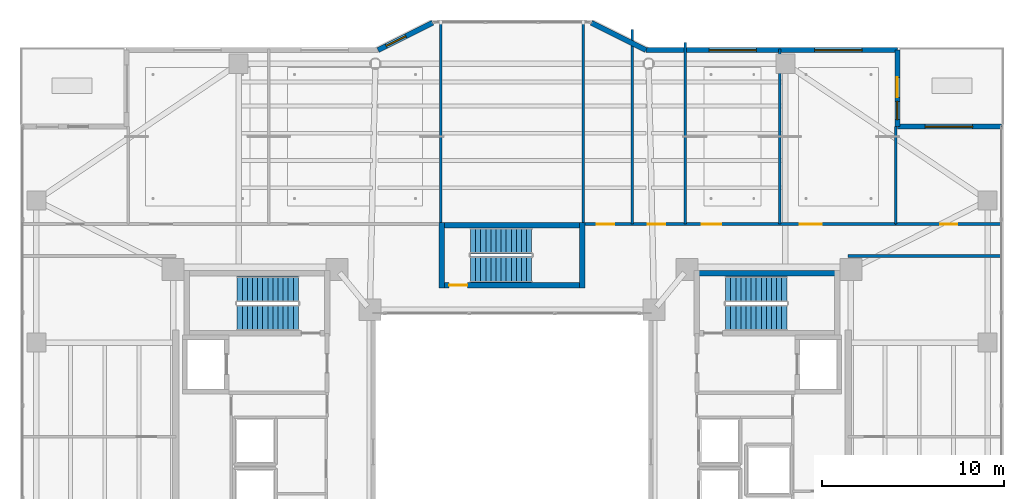
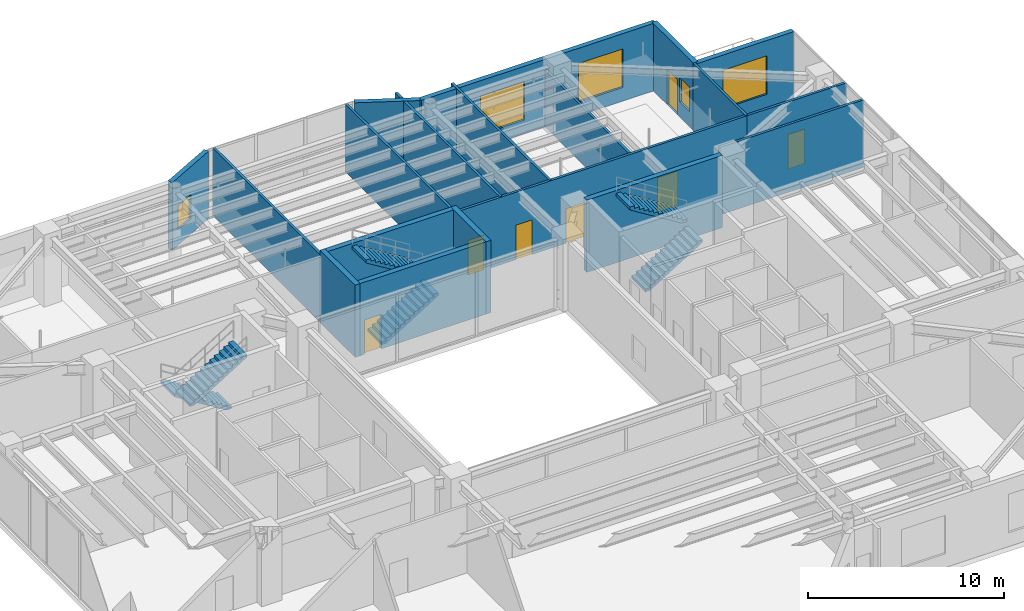
# One storey, part 30 of 37: 19 walls, 7 doors, 6 stair flights, 5 windows, 12 openings, 3 elements without a shape of their own.
"""IFC4 building model written with IfcOpenShell, lengths in metres."""

from ifc_helpers import new_model, si_unit, direction, frame, frame_2d, origin, place, context, subcontext, project, spatial, polyline, rectangle, outline, extrude, material, layer, layer_set, type_object, element, fill, aggregate, save


model = new_model("IFC4")

# Units and contexts
model_context = context("Model", 3, precision=1e-05, world=origin(), true_north=direction((0.0, 1.0)))
body_context = subcontext(model_context, "Body", "Model", "MODEL_VIEW")
ifc_project = project(units=[si_unit("LENGTHUNIT", "METRE"), si_unit("AREAUNIT", "SQUARE_METRE"), si_unit("VOLUMEUNIT", "CUBIC_METRE"), si_unit("PLANEANGLEUNIT", "RADIAN"), si_unit("MASSUNIT", "GRAM", prefix="KILO")], contexts=[model_context])

# Site, building, storey
site_placement = place(None, origin())
site = spatial("IfcSite", under=ifc_project, at=site_placement, CompositionType="ELEMENT")
building_placement = place(site_placement, origin())
building = spatial("IfcBuilding", under=site, at=building_placement, Name="Tarnavaz Court Tower", CompositionType="ELEMENT")
storey_placement = place(building_placement, frame((0.0, 0.0, 118.5)))
storey = spatial("IfcBuildingStorey", under=building, at=storey_placement, Name="L32", CompositionType="ELEMENT", Elevation=118.5)

# Walls
ifc_material_1 = material(Name="Concrete C60/75", Category="concrete")
ifc_layer_1 = layer(ifc_material_1, 0.300048828125)
ifc_layer_set_1 = layer_set([ifc_layer_1], Name="Concrete C60/75")
wall_type_1 = type_object("IfcWallType", Name="WL-CORE-300-C60", PredefinedType="SHEAR", material=ifc_layer_set_1)
for number, where, z_axis, x_axis, name in (
    (1, (10.0, 9.7900390625, 0.0), (0.0, 0.0, 1.0), (1.0, 0.0, 0.0), "L32 East Stair Core Wall 005"),
    (2, (-4.0, 12.43994140625, 0.0), (0.0, 0.0, 1.0), (1.0, 0.0, 0.0), "L32 North Stair Core Wall 009"),
):
    element("IfcWall", number, at=place(storey_placement, frame(where, z_axis=z_axis, x_axis=x_axis)), inside=storey, type_object=wall_type_1, Name=name, PredefinedType="SHEAR", context=body_context, shape_type="SweptSolid", body=[
        extrude(rectangle(XDim=8.0, YDim=0.300048828125, at=frame_2d((4.0, 0.0))), origin(), (0.0, 0.0, 1.0), 4.5),
    ])

# Wall, opening, door
wall_1_placement = place(storey_placement, frame((-4.0, 9.14990234375, 0.0), z_axis=(0.0, 0.0, 1.0), x_axis=(1.0, 0.0, 0.0)))
wall_1 = element("IfcWall", 3, at=wall_1_placement, inside=storey, type_object=wall_type_1, Name="L32 North Stair Core Wall 010", PredefinedType="SHEAR", context=body_context, shape_type="SweptSolid", body=[
    extrude(rectangle(XDim=8.0, YDim=0.300048828125, at=frame_2d((4.0, 0.0))), origin(), (0.0, 0.0, 1.0), 4.5),
])
opening_1_placement = place(wall_1_placement, frame((0.550048828125, 0.0, 0.0)))
opening_1 = element("IfcOpeningElement", 4, at=opening_1_placement, cuts=wall_1, Name="Opening D01", PredefinedType="OPENING", context=body_context, shape_type="SweptSolid", body=[
    extrude(rectangle(XDim=1.0, YDim=2.14990234375, at=frame_2d((0.5, 1.074951171875))), frame((0.0, 0.159912109375, 0.0), z_axis=(0.0, -1.0, 0.0), x_axis=(1.0, 0.0, 0.0)), (0.0, 0.0, 1.0), 0.320068359375),
])
ifc_material_2 = material(Name="Fire-Rated Hardwood Timber Core", Category="wood")
door_type_1 = type_object("IfcDoorType", Name="DR-FD90-1000", OperationType="NOTDEFINED", PredefinedType="DOOR", material=ifc_material_2)
door_1_placement = place(opening_1_placement, origin())
door_1 = element("IfcDoor", 5, at=door_1_placement, inside=storey, type_object=door_type_1, Name="L32 Stair ST-N1 Exit Door", OperationType="SINGLE_SWING_LEFT", OverallHeight=2.14990234375, OverallWidth=1.0, PredefinedType="DOOR", context=body_context, shape_type="SweptSolid", body=[
    extrude(rectangle(XDim=1.0, YDim=2.14990234375, at=frame_2d((0.5, 1.074951171875))), frame((0.0, 0.02490234375, 0.0), z_axis=(0.0, -1.0, 0.0), x_axis=(1.0, 0.0, 0.0)), (0.0, 0.0, 1.0), 0.050048828125),
])
fill(opening_1, door_1)

# Walls
for number, where, z_axis, x_axis, name in (
    (6, (-3.85009765625, 9.0, 0.0), (0.0, 0.0, 1.0), (0.0, 1.0, 0.0), "L32 North Stair Core Wall 011"),
    (7, (3.85009765625, 9.0, 0.0), (0.0, 0.0, 1.0), (0.0, 1.0, 0.0), "L32 North Stair Core Wall 012"),
):
    element("IfcWall", number, at=place(storey_placement, frame(where, z_axis=z_axis, x_axis=x_axis)), inside=storey, type_object=wall_type_1, Name=name, PredefinedType="SHEAR", context=body_context, shape_type="SweptSolid", body=[
        extrude(rectangle(XDim=3.590087890625, YDim=0.300048828125, at=frame_2d((1.794921875, 0.0))), origin(), (0.0, 0.0, 1.0), 4.5),
    ])

# Wall, opening, window
ifc_material_3 = material(Name="Precast Concrete C40/50", Category="concrete")
ifc_layer_2 = layer(ifc_material_3, 0.280029296875)
ifc_layer_set_2 = layer_set([ifc_layer_2], Name="Precast Concrete C40/50")
wall_type_2 = type_object("IfcWallType", Name="WL-EXT-280", PredefinedType="SOLIDWALL", material=ifc_layer_set_2)
wall_2_placement = place(storey_placement, frame((-7.35009765625, 22.050048828125, 0.0), z_axis=(0.0, 0.0, 1.0), x_axis=(0.894427191, 0.4472135955, 0.0)))
wall_2 = element("IfcWall", 8, at=wall_2_placement, inside=storey, type_object=wall_type_2, Name="L32 Exterior Terracotta Facade Wall 06", PredefinedType="SOLIDWALL", context=body_context, shape_type="SweptSolid", body=[
    extrude(rectangle(XDim=3.35400390625, YDim=0.280029296875, at=frame_2d((1.677001953125, 0.0))), origin(), (0.0, 0.0, 1.0), 4.199951171875),
])
opening_2_placement = place(wall_2_placement, frame((0.501220703125, 0.0, 0.949951171875)))
opening_2 = element("IfcOpeningElement", 9, at=opening_2_placement, cuts=wall_2, Name="Opening W05", PredefinedType="OPENING", context=body_context, shape_type="SweptSolid", body=[
    extrude(rectangle(XDim=1.199951171875, YDim=1.5, at=frame_2d((0.60009765625, 0.75))), frame((0.0, 0.14990234375, 0.0), z_axis=(0.0, -1.0, 0.0), x_axis=(1.0, 0.0, 0.0)), (0.0, 0.0, 1.0), 0.300048828125),
])
ifc_material_4 = material(Name="Double-Glazed Solar Low-E Glass", Category="glass")
window_type_1 = type_object("IfcWindowType", Name="WN-APT-1200", PartitioningType="SINGLE_PANEL", PredefinedType="WINDOW", material=ifc_material_4)
window_1_placement = place(opening_2_placement, origin())
window_1 = element("IfcWindow", 10, at=window_1_placement, inside=storey, type_object=window_type_1, Name="L32 L32 Resident Study Library Window", OverallHeight=1.5, OverallWidth=1.199951171875, PartitioningType="SINGLE_PANEL", PredefinedType="WINDOW", context=body_context, shape_type="SweptSolid", body=[
    extrude(rectangle(XDim=1.199951171875, YDim=1.5, at=frame_2d((0.60009765625, 0.75))), frame((0.0, 0.030029296875, 0.0), z_axis=(0.0, -1.0, 0.0), x_axis=(1.0, 0.0, 0.0)), (0.0, 0.0, 1.0), 0.06005859375),
])
fill(opening_2, window_1)

# Wall
wall_3_placement = place(storey_placement, frame((4.35009765625, 23.550048828125, 0.0), z_axis=(0.0, 0.0, 1.0), x_axis=(0.894427191, -0.4472135955, 0.0)))
element("IfcWall", 11, at=wall_3_placement, inside=storey, type_object=wall_type_2, Name="L32 Exterior Terracotta Facade Wall 08", PredefinedType="SOLIDWALL", context=body_context, shape_type="SweptSolid", body=[
    extrude(rectangle(XDim=3.35400390625, YDim=0.280029296875, at=frame_2d((1.677001953125, 0.0))), origin(), (0.0, 0.0, 1.0), 4.199951171875),
])

# Wall, openings, windows
wall_4_placement = place(storey_placement, frame((7.35009765625, 22.050048828125, 0.0), z_axis=(0.0, 0.0, 1.0), x_axis=(1.0, 0.0, 0.0)))
wall_4 = element("IfcWall", 12, at=wall_4_placement, inside=storey, type_object=wall_type_2, Name="L32 Exterior Terracotta Facade Wall 09", PredefinedType="SOLIDWALL", context=body_context, shape_type="SweptSolid", body=[
    extrude(rectangle(XDim=13.7998046875, YDim=0.280029296875, at=frame_2d((6.89990234375, 0.0))), origin(), (0.0, 0.0, 1.0), 4.199951171875),
])
opening_3_placement = place(wall_4_placement, frame((3.46728515625, 0.0, 0.85009765625)))
opening_3 = element("IfcOpeningElement", 13, at=opening_3_placement, cuts=wall_4, Name="Opening W11", PredefinedType="OPENING", context=body_context, shape_type="SweptSolid", body=[
    extrude(rectangle(XDim=2.60009765625, YDim=2.39990234375, at=frame_2d((1.300048828125, 1.199951171875))), frame((0.0, 0.14990234375, 0.0), z_axis=(0.0, -1.0, 0.0), x_axis=(1.0, 0.0, 0.0)), (0.0, 0.0, 1.0), 0.300048828125),
])
opening_4_placement = place(wall_4_placement, frame((9.26318359375, 0.0, 0.85009765625)))
opening_4 = element("IfcOpeningElement", 14, at=opening_4_placement, cuts=wall_4, Name="Opening W11", PredefinedType="OPENING", context=body_context, shape_type="SweptSolid", body=[
    extrude(rectangle(XDim=2.60009765625, YDim=2.39990234375, at=frame_2d((1.300048828125, 1.199951171875))), frame((0.0, 0.14990234375, 0.0), z_axis=(0.0, -1.0, 0.0), x_axis=(1.0, 0.0, 0.0)), (0.0, 0.0, 1.0), 0.300048828125),
])
window_type_2 = type_object("IfcWindowType", Name="WN-COM-2600", PartitioningType="TRIPLE_PANEL_VERTICAL", PredefinedType="WINDOW", material=ifc_material_4)
window_2_placement = place(opening_3_placement, origin())
window_2 = element("IfcWindow", 15, at=window_2_placement, inside=storey, type_object=window_type_2, Name="L32 Community Seminar Meeting Room Window", OverallHeight=2.39990234375, OverallWidth=2.60009765625, PartitioningType="SINGLE_PANEL", PredefinedType="WINDOW", context=body_context, shape_type="SweptSolid", body=[
    extrude(rectangle(XDim=2.60009765625, YDim=2.39990234375, at=frame_2d((1.300048828125, 1.199951171875))), frame((0.0, 0.030029296875, 0.0), z_axis=(0.0, -1.0, 0.0), x_axis=(1.0, 0.0, 0.0)), (0.0, 0.0, 1.0), 0.06005859375),
])
fill(opening_3, window_2)
window_3_placement = place(opening_4_placement, origin())
window_3 = element("IfcWindow", 16, at=window_3_placement, inside=storey, type_object=window_type_2, Name="L32 L32 Fitness Studio Window", OverallHeight=2.39990234375, OverallWidth=2.60009765625, PartitioningType="SINGLE_PANEL", PredefinedType="WINDOW", context=body_context, shape_type="SweptSolid", body=[
    extrude(rectangle(XDim=2.60009765625, YDim=2.39990234375, at=frame_2d((1.300048828125, 1.199951171875))), frame((0.0, 0.030029296875, 0.0), z_axis=(0.0, -1.0, 0.0), x_axis=(1.0, 0.0, 0.0)), (0.0, 0.0, 1.0), 0.06005859375),
])
fill(opening_4, window_3)

# Wall, openings, door, window
wall_5_placement = place(storey_placement, frame((21.14990234375, 22.050048828125, 0.0), z_axis=(0.0, 0.0, 1.0), x_axis=(0.0, -1.0, 0.0)))
wall_5 = element("IfcWall", 17, at=wall_5_placement, inside=storey, type_object=wall_type_2, Name="L32 Exterior Terracotta Facade Wall 10", PredefinedType="SOLIDWALL", context=body_context, shape_type="SweptSolid", body=[
    extrude(rectangle(XDim=4.199951171875, YDim=0.280029296875, at=frame_2d((2.10009765625, 0.0))), origin(), (0.0, 0.0, 1.0), 4.199951171875),
])
opening_5_placement = place(wall_5_placement, frame((1.5, 0.0, 0.0)))
opening_5 = element("IfcOpeningElement", 18, at=opening_5_placement, cuts=wall_5, Name="Opening TD1", PredefinedType="OPENING", context=body_context, shape_type="SweptSolid", body=[
    extrude(rectangle(XDim=1.10009765625, YDim=2.199951171875, at=frame_2d((0.550048828125, 1.10009765625))), frame((0.0, 0.14990234375, 0.0), z_axis=(0.0, -1.0, 0.0), x_axis=(1.0, 0.0, 0.0)), (0.0, 0.0, 1.0), 0.300048828125),
])
opening_6_placement = place(wall_5_placement, frame((2.8125, 0.0, 0.949951171875)))
opening_6 = element("IfcOpeningElement", 19, at=opening_6_placement, cuts=wall_5, Name="Opening W14", PredefinedType="OPENING", context=body_context, shape_type="SweptSolid", body=[
    extrude(rectangle(XDim=1.0, YDim=1.5, at=frame_2d((0.5, 0.75))), frame((0.0, 0.14990234375, 0.0), z_axis=(0.0, -1.0, 0.0), x_axis=(1.0, 0.0, 0.0)), (0.0, 0.0, 1.0), 0.300048828125),
])
ifc_material_5 = material(Name="Thermally Broken Aluminium and Laminated Glass", Category="aluminium")
door_type_2 = type_object("IfcDoorType", Name="DR-TERR-1100", OperationType="NOTDEFINED", PredefinedType="DOOR", material=ifc_material_5)
door_2_placement = place(opening_5_placement, origin())
door_2 = element("IfcDoor", 20, at=door_2_placement, inside=storey, type_object=door_type_2, Name="L32 Sky Terrace Access Door 1", OperationType="SINGLE_SWING_LEFT", OverallHeight=2.199951171875, OverallWidth=1.10009765625, PredefinedType="DOOR", context=body_context, shape_type="SweptSolid", body=[
    extrude(rectangle(XDim=1.10009765625, YDim=2.199951171875, at=frame_2d((0.550048828125, 1.10009765625))), frame((0.0, 0.02490234375, 0.0), z_axis=(0.0, -1.0, 0.0), x_axis=(1.0, 0.0, 0.0)), (0.0, 0.0, 1.0), 0.050048828125),
])
fill(opening_5, door_2)
window_type_3 = type_object("IfcWindowType", Name="WN-APT-1000", PartitioningType="SINGLE_PANEL", PredefinedType="WINDOW", material=ifc_material_4)
window_4_placement = place(opening_6_placement, origin())
window_4 = element("IfcWindow", 21, at=window_4_placement, inside=storey, type_object=window_type_3, Name="L32 L32 Fitness Studio Window", OverallHeight=1.5, OverallWidth=1.0, PartitioningType="SINGLE_PANEL", PredefinedType="WINDOW", context=body_context, shape_type="SweptSolid", body=[
    extrude(rectangle(XDim=1.0, YDim=1.5, at=frame_2d((0.5, 0.75))), frame((0.0, 0.030029296875, 0.0), z_axis=(0.0, -1.0, 0.0), x_axis=(1.0, 0.0, 0.0)), (0.0, 0.0, 1.0), 0.06005859375),
])
fill(opening_6, window_4)

# Wall, opening, window
wall_6_placement = place(storey_placement, frame((21.14990234375, 17.85009765625, 0.0), z_axis=(0.0, 0.0, 1.0), x_axis=(1.0, 0.0, 0.0)))
wall_6 = element("IfcWall", 22, at=wall_6_placement, inside=storey, type_object=wall_type_2, Name="L32 Exterior Terracotta Facade Wall 11", PredefinedType="SOLIDWALL", context=body_context, shape_type="SweptSolid", body=[
    extrude(rectangle(XDim=5.7001953125, YDim=0.280029296875, at=frame_2d((2.85009765625, 0.0))), origin(), (0.0, 0.0, 1.0), 4.199951171875),
])
opening_7_placement = place(wall_6_placement, frame((1.52490234375, 0.0, 0.85009765625)))
opening_7 = element("IfcOpeningElement", 23, at=opening_7_placement, cuts=wall_6, Name="Opening W11", PredefinedType="OPENING", context=body_context, shape_type="SweptSolid", body=[
    extrude(rectangle(XDim=2.60009765625, YDim=2.39990234375, at=frame_2d((1.300048828125, 1.199951171875))), frame((0.0, 0.14990234375, 0.0), z_axis=(0.0, -1.0, 0.0), x_axis=(1.0, 0.0, 0.0)), (0.0, 0.0, 1.0), 0.300048828125),
])
window_5_placement = place(opening_7_placement, origin())
window_5 = element("IfcWindow", 24, at=window_5_placement, inside=storey, type_object=window_type_2, Name="L32 L32 NE Terrace Salon Window", OverallHeight=2.39990234375, OverallWidth=2.60009765625, PartitioningType="SINGLE_PANEL", PredefinedType="WINDOW", context=body_context, shape_type="SweptSolid", body=[
    extrude(rectangle(XDim=2.60009765625, YDim=2.39990234375, at=frame_2d((1.300048828125, 1.199951171875))), frame((0.0, 0.030029296875, 0.0), z_axis=(0.0, -1.0, 0.0), x_axis=(1.0, 0.0, 0.0)), (0.0, 0.0, 1.0), 0.06005859375),
])
fill(opening_7, window_5)

# Wall, openings, doors
ifc_material_6 = material(Name="Gypsum Fire-Board on Acoustic Metal Stud", Category="masonry")
ifc_layer_3 = layer(ifc_material_6, 0.14990234375)
ifc_layer_set_3 = layer_set([ifc_layer_3], Name="Gypsum Fire-Board on Acoustic Metal Stud")
wall_type_3 = type_object("IfcWallType", Name="WL-FIRE-150", PredefinedType="PARTITIONING", material=ifc_layer_set_3)
wall_7_placement = place(storey_placement, frame((3.85009765625, 12.5, 0.0), z_axis=(0.0, 0.0, 1.0), x_axis=(1.0, 0.0, 0.0)))
wall_7 = element("IfcWall", 25, at=wall_7_placement, inside=storey, type_object=wall_type_3, Name="L32 NE Wing Corridor Wall 072", PredefinedType="PARTITIONING", context=body_context, shape_type="SweptSolid", body=[
    extrude(rectangle(XDim=17.199951171875, YDim=0.14990234375, at=frame_2d((8.60009765625, 0.0))), origin(), (0.0, 0.0, 1.0), 4.199951171875),
])
opening_8_placement = place(wall_7_placement, frame((0.800048828125, 0.0, 0.0)))
opening_8 = element("IfcOpeningElement", 26, at=opening_8_placement, cuts=wall_7, Name="Opening D13", PredefinedType="OPENING", context=body_context, shape_type="SweptSolid", body=[
    extrude(rectangle(XDim=0.949951171875, YDim=2.14990234375, at=frame_2d((0.47509765625, 1.074951171875))), frame((0.0, 0.0849609375, 0.0), z_axis=(0.0, -1.0, 0.0), x_axis=(1.0, 0.0, 0.0)), (0.0, 0.0, 1.0), 0.169921875),
])
opening_9_placement = place(wall_7_placement, frame((3.60009765625, 0.0, 0.0)))
opening_9 = element("IfcOpeningElement", 27, at=opening_9_placement, cuts=wall_7, Name="Opening D13", PredefinedType="OPENING", context=body_context, shape_type="SweptSolid", body=[
    extrude(rectangle(XDim=0.949951171875, YDim=2.14990234375, at=frame_2d((0.47509765625, 1.074951171875))), frame((0.0, 0.0849609375, 0.0), z_axis=(0.0, -1.0, 0.0), x_axis=(1.0, 0.0, 0.0)), (0.0, 0.0, 1.0), 0.169921875),
])
opening_10_placement = place(wall_7_placement, frame((6.550048828125, 0.0, 0.0)))
opening_10 = element("IfcOpeningElement", 28, at=opening_10_placement, cuts=wall_7, Name="Opening D12", PredefinedType="OPENING", context=body_context, shape_type="SweptSolid", body=[
    extrude(rectangle(XDim=1.080078125, YDim=2.14990234375, at=frame_2d((0.5400390625, 1.074951171875))), frame((0.0, 0.0849609375, 0.0), z_axis=(0.0, -1.0, 0.0), x_axis=(1.0, 0.0, 0.0)), (0.0, 0.0, 1.0), 0.169921875),
])
opening_11_placement = place(wall_7_placement, frame((11.947021484375, 0.0, 0.0)))
opening_11 = element("IfcOpeningElement", 29, at=opening_11_placement, cuts=wall_7, Name="Opening D11", PredefinedType="OPENING", context=body_context, shape_type="SweptSolid", body=[
    extrude(rectangle(XDim=1.199951171875, YDim=2.14990234375, at=frame_2d((0.60009765625, 1.074951171875))), frame((0.0, 0.0849609375, 0.0), z_axis=(0.0, -1.0, 0.0), x_axis=(1.0, 0.0, 0.0)), (0.0, 0.0, 1.0), 0.169921875),
])
ifc_material_7 = material(Name="Engineered Oak Timber", Category="wood")
door_type_3 = type_object("IfcDoorType", Name="DR-INT-1100", OperationType="NOTDEFINED", PredefinedType="DOOR", material=ifc_material_7)
door_3_placement = place(opening_10_placement, origin())
door_3 = element("IfcDoor", 30, at=door_3_placement, inside=storey, type_object=door_type_3, Name="L32 Community Meeting Room Door", OperationType="SINGLE_SWING_LEFT", OverallHeight=2.14990234375, OverallWidth=1.080078125, PredefinedType="DOOR", context=body_context, shape_type="SweptSolid", body=[
    extrude(rectangle(XDim=1.080078125, YDim=2.14990234375, at=frame_2d((0.5400390625, 1.074951171875))), frame((0.0, 0.02490234375, 0.0), z_axis=(0.0, -1.0, 0.0), x_axis=(1.0, 0.0, 0.0)), (0.0, 0.0, 1.0), 0.050048828125),
])
fill(opening_10, door_3)
door_type_4 = type_object("IfcDoorType", Name="DR-INT-1200", OperationType="NOTDEFINED", PredefinedType="DOOR", material=ifc_material_7)
door_4_placement = place(opening_11_placement, origin())
door_4 = element("IfcDoor", 31, at=door_4_placement, inside=storey, type_object=door_type_4, Name="L32 L32 Fitness Studio Door", OperationType="SINGLE_SWING_RIGHT", OverallHeight=2.14990234375, OverallWidth=1.199951171875, PredefinedType="DOOR", context=body_context, shape_type="SweptSolid", body=[
    extrude(rectangle(XDim=1.199951171875, YDim=2.14990234375, at=frame_2d((0.60009765625, 1.074951171875))), frame((0.0, 0.02490234375, 0.0), z_axis=(0.0, -1.0, 0.0), x_axis=(1.0, 0.0, 0.0)), (0.0, 0.0, 1.0), 0.050048828125),
])
fill(opening_11, door_4)
door_type_5 = type_object("IfcDoorType", Name="DR-INT-950", OperationType="NOTDEFINED", PredefinedType="DOOR", material=ifc_material_7)
door_5_placement = place(opening_8_placement, origin())
door_5 = element("IfcDoor", 32, at=door_5_placement, inside=storey, type_object=door_type_5, Name="L32 Accessible WC Door", OperationType="SINGLE_SWING_LEFT", OverallHeight=2.14990234375, OverallWidth=0.949951171875, PredefinedType="DOOR", context=body_context, shape_type="SweptSolid", body=[
    extrude(rectangle(XDim=0.949951171875, YDim=2.14990234375, at=frame_2d((0.47509765625, 1.074951171875))), frame((0.0, 0.02490234375, 0.0), z_axis=(0.0, -1.0, 0.0), x_axis=(1.0, 0.0, 0.0)), (0.0, 0.0, 1.0), 0.050048828125),
])
fill(opening_8, door_5)
door_6_placement = place(opening_9_placement, origin())
door_6 = element("IfcDoor", 33, at=door_6_placement, inside=storey, type_object=door_type_5, Name="L32 Public Toilets Door", OperationType="SINGLE_SWING_RIGHT", OverallHeight=2.14990234375, OverallWidth=0.949951171875, PredefinedType="DOOR", context=body_context, shape_type="SweptSolid", body=[
    extrude(rectangle(XDim=0.949951171875, YDim=2.14990234375, at=frame_2d((0.47509765625, 1.074951171875))), frame((0.0, 0.02490234375, 0.0), z_axis=(0.0, -1.0, 0.0), x_axis=(1.0, 0.0, 0.0)), (0.0, 0.0, 1.0), 0.050048828125),
])
fill(opening_9, door_6)

# Wall
wall_8_placement = place(storey_placement, frame((18.449951171875, 10.75, 0.0), z_axis=(0.0, 0.0, 1.0), x_axis=(1.0, 0.0, 0.0)))
element("IfcWall", 34, at=wall_8_placement, inside=storey, type_object=wall_type_3, Name="L32 Interior Partition 089", PredefinedType="PARTITIONING", context=body_context, shape_type="SweptSolid", body=[
    extrude(rectangle(XDim=8.429931640625, YDim=0.14990234375, at=frame_2d((4.21484375, 0.0))), origin(), (0.0, 0.0, 1.0), 4.199951171875),
])

# Wall, opening, door
wall_9_placement = place(storey_placement, frame((21.050048828125, 12.5, 0.0), z_axis=(0.0, 0.0, 1.0), x_axis=(1.0, 0.0, 0.0)))
wall_9 = element("IfcWall", 35, at=wall_9_placement, inside=storey, type_object=wall_type_3, Name="L32 Interior Partition 095", PredefinedType="PARTITIONING", context=body_context, shape_type="SweptSolid", body=[
    extrude(rectangle(XDim=5.829833984375, YDim=0.14990234375, at=frame_2d((2.9150390625, 0.0))), origin(), (0.0, 0.0, 1.0), 4.199951171875),
])
opening_12_placement = place(wall_9_placement, frame((2.43994140625, 0.0, 0.0)))
opening_12 = element("IfcOpeningElement", 36, at=opening_12_placement, cuts=wall_9, Name="Opening D13", PredefinedType="OPENING", context=body_context, shape_type="SweptSolid", body=[
    extrude(rectangle(XDim=0.949951171875, YDim=2.14990234375, at=frame_2d((0.47509765625, 1.074951171875))), frame((0.0, 0.0849609375, 0.0), z_axis=(0.0, -1.0, 0.0), x_axis=(1.0, 0.0, 0.0)), (0.0, 0.0, 1.0), 0.169921875),
])
door_7_placement = place(opening_12_placement, origin())
door_7 = element("IfcDoor", 37, at=door_7_placement, inside=storey, type_object=door_type_5, Name="L32 NE Terrace Salon Door", OperationType="SINGLE_SWING_LEFT", OverallHeight=2.14990234375, OverallWidth=0.949951171875, PredefinedType="DOOR", context=body_context, shape_type="SweptSolid", body=[
    extrude(rectangle(XDim=0.949951171875, YDim=2.14990234375, at=frame_2d((0.47509765625, 1.074951171875))), frame((0.0, 0.02490234375, 0.0), z_axis=(0.0, -1.0, 0.0), x_axis=(1.0, 0.0, 0.0)), (0.0, 0.0, 1.0), 0.050048828125),
])
fill(opening_12, door_7)

# Walls
ifc_material_8 = material(Name="Gypsum Plasterboard Acoustic Partition", Category="masonry")
ifc_layer_4 = layer(ifc_material_8, 0.139892578125)
ifc_layer_set_4 = layer_set([ifc_layer_4], Name="Gypsum Plasterboard Acoustic Partition")
wall_type_4 = type_object("IfcWallType", Name="WL-PART-150", PredefinedType="PARTITIONING", material=ifc_layer_set_4)
for number, where, z_axis, x_axis, name in (
    (38, (-3.89990234375, 12.5, 0.0), (0.0, 0.0, 1.0), (0.0, 1.0, 0.0), "L32 Interior Partition 075"),
    (39, (3.89990234375, 12.5, 0.0), (0.0, 0.0, 1.0), (0.0, 1.0, 0.0), "L32 Interior Partition 076"),
):
    element("IfcWall", number, at=place(storey_placement, frame(where, z_axis=z_axis, x_axis=x_axis)), inside=storey, type_object=wall_type_4, Name=name, PredefinedType="PARTITIONING", context=body_context, shape_type="SweptSolid", body=[
        extrude(rectangle(XDim=11.080078125, YDim=0.139892578125, at=frame_2d((5.5400390625, 0.0))), origin(), (0.0, 0.0, 1.0), 4.199951171875),
    ])
wall_10_placement = place(storey_placement, frame((6.60009765625, 12.5, 0.0), z_axis=(0.0, 0.0, 1.0), x_axis=(0.0, 1.0, 0.0)))
element("IfcWall", 40, at=wall_10_placement, inside=storey, type_object=wall_type_4, Name="L32 Interior Partition 078", PredefinedType="PARTITIONING", context=body_context, shape_type="SweptSolid", body=[
    extrude(rectangle(XDim=10.68505859375, YDim=0.139892578125, at=frame_2d((5.342529296875, 0.0))), origin(), (0.0, 0.0, 1.0), 4.199951171875),
])
wall_11_placement = place(storey_placement, frame((9.5, 12.5, 0.0), z_axis=(0.0, 0.0, 1.0), x_axis=(0.0, 1.0, 0.0)))
element("IfcWall", 41, at=wall_11_placement, inside=storey, type_object=wall_type_4, Name="L32 Interior Partition 079", PredefinedType="PARTITIONING", context=body_context, shape_type="SweptSolid", body=[
    extrude(rectangle(XDim=9.969970703125, YDim=0.139892578125, at=frame_2d((4.98486328125, 0.0))), origin(), (0.0, 0.0, 1.0), 4.199951171875),
])
wall_12_placement = place(storey_placement, frame((14.697021484375, 12.5, 0.0), z_axis=(0.0, 0.0, 1.0), x_axis=(0.0, 1.0, 0.0)))
element("IfcWall", 42, at=wall_12_placement, inside=storey, type_object=wall_type_4, Name="L32 Interior Partition 080", PredefinedType="PARTITIONING", context=body_context, shape_type="SweptSolid", body=[
    extrude(rectangle(XDim=9.60009765625, YDim=0.139892578125, at=frame_2d((4.800048828125, 0.0))), origin(), (0.0, 0.0, 1.0), 3.534912109375),
])
wall_13_placement = place(storey_placement, frame((21.050048828125, 12.5, 0.0), z_axis=(0.0, 0.0, 1.0), x_axis=(0.0, 1.0, 0.0)))
element("IfcWall", 43, at=wall_13_placement, inside=storey, type_object=wall_type_4, Name="L32 Interior Partition 093", PredefinedType="PARTITIONING", context=body_context, shape_type="SweptSolid", body=[
    extrude(rectangle(XDim=5.35009765625, YDim=0.139892578125, at=frame_2d((2.675048828125, 0.0))), origin(), (0.0, 0.0, 1.0), 4.199951171875),
])

# Stair, stair flights
ifc_material_9 = material(Name="Concrete C40/50", Category="concrete")
stair_type = type_object("IfcStairType", Name="ST-TWR-26R", PredefinedType="HALF_TURN_STAIR", material=ifc_material_9)
stair_1_placement = place(storey_placement, origin())
stair_1 = element("IfcStair", 44, at=stair_1_placement, inside=storey, type_object=stair_type, Name="L32 West Core Pressurized Exit Stair ST-W1", PredefinedType="HALF_TURN_STAIR")
stair_flight_type = type_object("IfcStairFlightType", Name="SFL-RC-26R", PredefinedType="STRAIGHT", material=ifc_material_9)
stair_flight_1_placement = place(storey_placement, frame((-11.719970703125, 8.929931640625, 0.0), z_axis=(0.0, 0.0, 1.0), x_axis=(-1.0, 0.0, 0.0)))
stair_flight_1 = element("IfcStairFlight", 45, at=stair_flight_1_placement, type_object=stair_flight_type, Name="ST-W1 flight 1", NumberOfRisers=13, NumberOfTreads=12, PredefinedType="STRAIGHT", RiserHeight=0.173076923, TreadLength=0.28, context=body_context, shape_type="SweptSolid", body=[
    extrude(outline(polyline([(0.0, 0.0), (0.0, 0.173095703125), (0.280029296875, 0.173095703125), (0.280029296875, 0.34619140625), (0.56005859375, 0.34619140625), (0.56005859375, 0.519287109375), (0.840087890625, 0.519287109375), (0.840087890625, 0.6923828125), (1.1201171875, 0.6923828125), (1.1201171875, 0.865478515625), (1.39990234375, 0.865478515625), (1.39990234375, 1.03857421875), (1.679931640625, 1.03857421875), (1.679931640625, 1.21142578125), (1.9599609375, 1.21142578125), (1.9599609375, 1.384521484375), (2.239990234375, 1.384521484375), (2.239990234375, 1.5576171875), (2.52001953125, 1.5576171875), (2.52001953125, 1.730712890625), (2.800048828125, 1.730712890625), (2.800048828125, 1.90380859375), (3.080078125, 1.90380859375), (3.080078125, 2.076904296875), (3.360107421875, 2.076904296875), (3.360107421875, 2.25), (3.360107421875, 1.900634765625), (0.28515625, 0.0), (0.0, 0.0)])), frame((0.0, 0.7099609375, 0.0), z_axis=(0.0, -1.0, 0.0), x_axis=(1.0, 0.0, 0.0)), (0.0, 0.0, 1.0), 1.419921875),
])
stair_flight_2_placement = place(storey_placement, frame((-15.080078125, 7.360107421875, 2.25), z_axis=(0.0, 0.0, 1.0), x_axis=(1.0, 0.0, 0.0)))
stair_flight_2 = element("IfcStairFlight", 46, at=stair_flight_2_placement, type_object=stair_flight_type, Name="ST-W1 flight 2", NumberOfRisers=13, NumberOfTreads=12, PredefinedType="STRAIGHT", RiserHeight=0.173076923, TreadLength=0.28, context=body_context, shape_type="SweptSolid", body=[
    extrude(outline(polyline([(0.0, 0.0), (0.0, 0.173095703125), (0.280029296875, 0.173095703125), (0.280029296875, 0.34619140625), (0.56005859375, 0.34619140625), (0.56005859375, 0.519287109375), (0.840087890625, 0.519287109375), (0.840087890625, 0.6923828125), (1.1201171875, 0.6923828125), (1.1201171875, 0.865478515625), (1.39990234375, 0.865478515625), (1.39990234375, 1.03857421875), (1.679931640625, 1.03857421875), (1.679931640625, 1.21142578125), (1.9599609375, 1.21142578125), (1.9599609375, 1.384521484375), (2.239990234375, 1.384521484375), (2.239990234375, 1.5576171875), (2.52001953125, 1.5576171875), (2.52001953125, 1.730712890625), (2.800048828125, 1.730712890625), (2.800048828125, 1.90380859375), (3.080078125, 1.90380859375), (3.080078125, 2.076904296875), (3.360107421875, 2.076904296875), (3.360107421875, 2.25), (3.360107421875, 1.900634765625), (0.28515625, 0.0), (0.0, 0.0)])), frame((0.0, 0.7099609375, 0.0), z_axis=(0.0, -1.0, 0.0), x_axis=(1.0, 0.0, 0.0)), (0.0, 0.0, 1.0), 1.419921875),
])
aggregate(stair_1, [stair_flight_1, stair_flight_2])

stair_2_placement = place(storey_placement, origin())
stair_2 = element("IfcStair", 47, at=stair_2_placement, inside=storey, type_object=stair_type, Name="L32 East Core Pressurized Exit Stair ST-E1", PredefinedType="HALF_TURN_STAIR")
stair_flight_3_placement = place(storey_placement, frame((11.719970703125, 7.360107421875, 0.0), z_axis=(0.0, 0.0, 1.0), x_axis=(1.0, 0.0, 0.0)))
stair_flight_3 = element("IfcStairFlight", 48, at=stair_flight_3_placement, type_object=stair_flight_type, Name="ST-E1 flight 1", NumberOfRisers=13, NumberOfTreads=12, PredefinedType="STRAIGHT", RiserHeight=0.173076923, TreadLength=0.28, context=body_context, shape_type="SweptSolid", body=[
    extrude(outline(polyline([(0.0, 0.0), (0.0, 0.173095703125), (0.280029296875, 0.173095703125), (0.280029296875, 0.34619140625), (0.56005859375, 0.34619140625), (0.56005859375, 0.519287109375), (0.840087890625, 0.519287109375), (0.840087890625, 0.6923828125), (1.1201171875, 0.6923828125), (1.1201171875, 0.865478515625), (1.39990234375, 0.865478515625), (1.39990234375, 1.03857421875), (1.679931640625, 1.03857421875), (1.679931640625, 1.21142578125), (1.9599609375, 1.21142578125), (1.9599609375, 1.384521484375), (2.239990234375, 1.384521484375), (2.239990234375, 1.5576171875), (2.52001953125, 1.5576171875), (2.52001953125, 1.730712890625), (2.800048828125, 1.730712890625), (2.800048828125, 1.90380859375), (3.080078125, 1.90380859375), (3.080078125, 2.076904296875), (3.360107421875, 2.076904296875), (3.360107421875, 2.25), (3.360107421875, 1.900634765625), (0.28515625, 0.0), (0.0, 0.0)])), frame((0.0, 0.7099609375, 0.0), z_axis=(0.0, -1.0, 0.0), x_axis=(1.0, 0.0, 0.0)), (0.0, 0.0, 1.0), 1.419921875),
])
stair_flight_4_placement = place(storey_placement, frame((15.080078125, 8.929931640625, 2.25), z_axis=(0.0, 0.0, 1.0), x_axis=(-1.0, 0.0, 0.0)))
stair_flight_4 = element("IfcStairFlight", 49, at=stair_flight_4_placement, type_object=stair_flight_type, Name="ST-E1 flight 2", NumberOfRisers=13, NumberOfTreads=12, PredefinedType="STRAIGHT", RiserHeight=0.173076923, TreadLength=0.28, context=body_context, shape_type="SweptSolid", body=[
    extrude(outline(polyline([(0.0, 0.0), (0.0, 0.173095703125), (0.280029296875, 0.173095703125), (0.280029296875, 0.34619140625), (0.56005859375, 0.34619140625), (0.56005859375, 0.519287109375), (0.840087890625, 0.519287109375), (0.840087890625, 0.6923828125), (1.1201171875, 0.6923828125), (1.1201171875, 0.865478515625), (1.39990234375, 0.865478515625), (1.39990234375, 1.03857421875), (1.679931640625, 1.03857421875), (1.679931640625, 1.21142578125), (1.9599609375, 1.21142578125), (1.9599609375, 1.384521484375), (2.239990234375, 1.384521484375), (2.239990234375, 1.5576171875), (2.52001953125, 1.5576171875), (2.52001953125, 1.730712890625), (2.800048828125, 1.730712890625), (2.800048828125, 1.90380859375), (3.080078125, 1.90380859375), (3.080078125, 2.076904296875), (3.360107421875, 2.076904296875), (3.360107421875, 2.25), (3.360107421875, 1.900634765625), (0.28515625, 0.0), (0.0, 0.0)])), frame((0.0, 0.7099609375, 0.0), z_axis=(0.0, -1.0, 0.0), x_axis=(1.0, 0.0, 0.0)), (0.0, 0.0, 1.0), 1.419921875),
])
aggregate(stair_2, [stair_flight_3, stair_flight_4])

stair_3_placement = place(storey_placement, origin())
stair_3 = element("IfcStair", 50, at=stair_3_placement, inside=storey, type_object=stair_type, Name="L32 North Ring Pressurized Exit Stair ST-N1", PredefinedType="HALF_TURN_STAIR")
stair_flight_5_placement = place(storey_placement, frame((-2.280029296875, 10.010009765625, 0.0), z_axis=(0.0, 0.0, 1.0), x_axis=(1.0, 0.0, 0.0)))
stair_flight_5 = element("IfcStairFlight", 51, at=stair_flight_5_placement, type_object=stair_flight_type, Name="ST-N1 flight 1", NumberOfRisers=13, NumberOfTreads=12, PredefinedType="STRAIGHT", RiserHeight=0.173076923, TreadLength=0.28, context=body_context, shape_type="SweptSolid", body=[
    extrude(outline(polyline([(0.0, 0.0), (0.0, 0.173095703125), (0.280029296875, 0.173095703125), (0.280029296875, 0.34619140625), (0.56005859375, 0.34619140625), (0.56005859375, 0.519287109375), (0.840087890625, 0.519287109375), (0.840087890625, 0.6923828125), (1.1201171875, 0.6923828125), (1.1201171875, 0.865478515625), (1.39990234375, 0.865478515625), (1.39990234375, 1.03857421875), (1.679931640625, 1.03857421875), (1.679931640625, 1.21142578125), (1.9599609375, 1.21142578125), (1.9599609375, 1.384521484375), (2.239990234375, 1.384521484375), (2.239990234375, 1.5576171875), (2.52001953125, 1.5576171875), (2.52001953125, 1.730712890625), (2.800048828125, 1.730712890625), (2.800048828125, 1.90380859375), (3.080078125, 1.90380859375), (3.080078125, 2.076904296875), (3.360107421875, 2.076904296875), (3.360107421875, 2.25), (3.360107421875, 1.900634765625), (0.28515625, 0.0), (0.0, 0.0)])), frame((0.0, 0.7099609375, 0.0), z_axis=(0.0, -1.0, 0.0), x_axis=(1.0, 0.0, 0.0)), (0.0, 0.0, 1.0), 1.419921875),
])
stair_flight_6_placement = place(storey_placement, frame((1.080078125, 11.580078125, 2.25), z_axis=(0.0, 0.0, 1.0), x_axis=(-1.0, 0.0, 0.0)))
stair_flight_6 = element("IfcStairFlight", 52, at=stair_flight_6_placement, type_object=stair_flight_type, Name="ST-N1 flight 2", NumberOfRisers=13, NumberOfTreads=12, PredefinedType="STRAIGHT", RiserHeight=0.173076923, TreadLength=0.28, context=body_context, shape_type="SweptSolid", body=[
    extrude(outline(polyline([(0.0, 0.0), (0.0, 0.173095703125), (0.280029296875, 0.173095703125), (0.280029296875, 0.34619140625), (0.56005859375, 0.34619140625), (0.56005859375, 0.519287109375), (0.840087890625, 0.519287109375), (0.840087890625, 0.6923828125), (1.1201171875, 0.6923828125), (1.1201171875, 0.865478515625), (1.39990234375, 0.865478515625), (1.39990234375, 1.03857421875), (1.679931640625, 1.03857421875), (1.679931640625, 1.21142578125), (1.9599609375, 1.21142578125), (1.9599609375, 1.384521484375), (2.239990234375, 1.384521484375), (2.239990234375, 1.5576171875), (2.52001953125, 1.5576171875), (2.52001953125, 1.730712890625), (2.800048828125, 1.730712890625), (2.800048828125, 1.90380859375), (3.080078125, 1.90380859375), (3.080078125, 2.076904296875), (3.360107421875, 2.076904296875), (3.360107421875, 2.25), (3.360107421875, 1.900634765625), (0.28515625, 0.0), (0.0, 0.0)])), frame((0.0, 0.7099609375, 0.0), z_axis=(0.0, -1.0, 0.0), x_axis=(1.0, 0.0, 0.0)), (0.0, 0.0, 1.0), 1.419921875),
])
aggregate(stair_3, [stair_flight_5, stair_flight_6])

save(model, "model.ifc")
